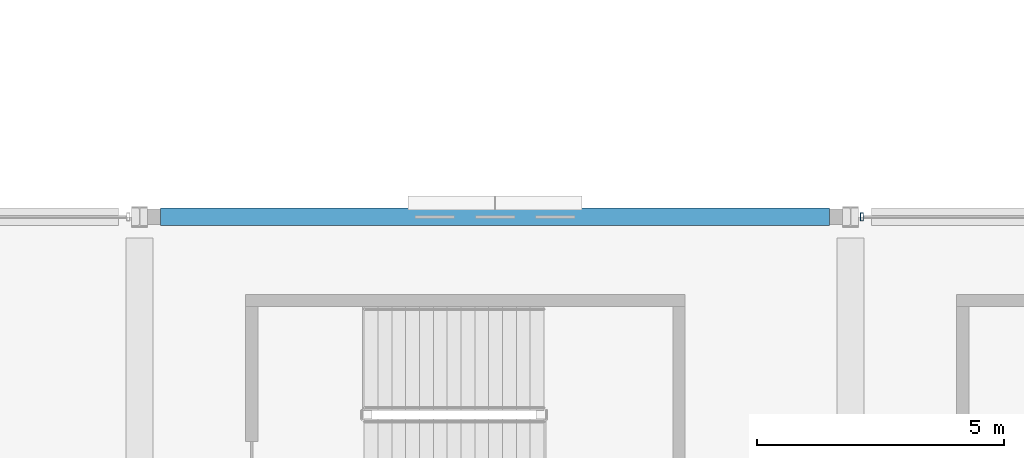
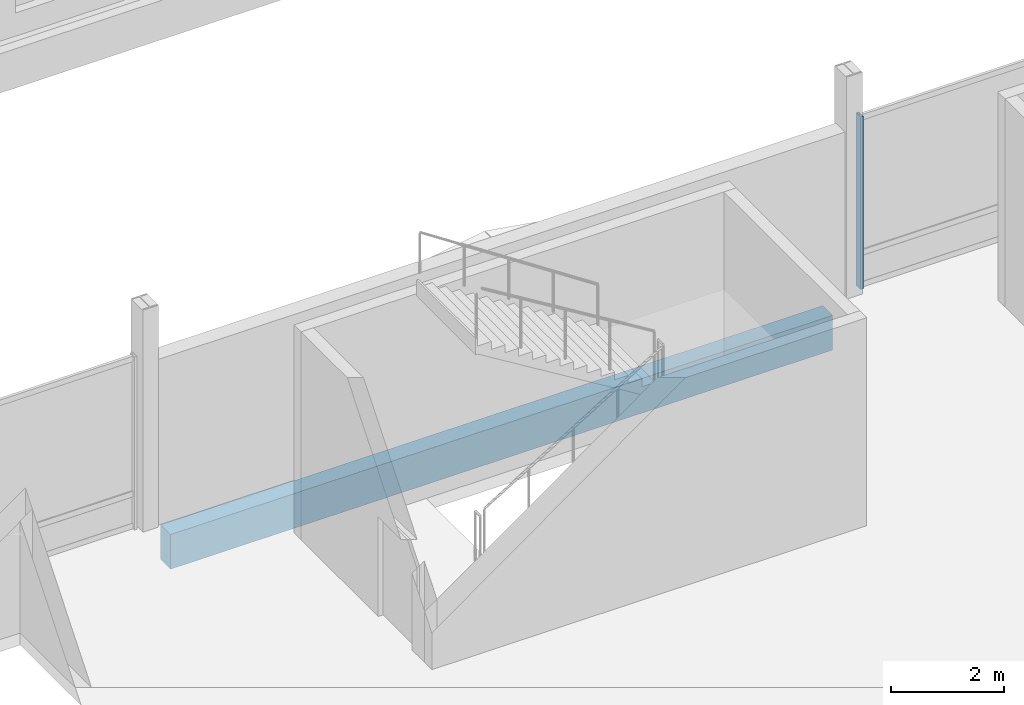
# One storey, part 40 of 220: 1 beam, 1 member, 1 element without a shape of its own.
"""IFC4 building model written with IfcOpenShell, lengths in metres."""

from ifc_helpers import new_model, si_unit, direction, frame, origin, origin_2d, place, context, subcontext, project, spatial, rectangle, hollow_rectangle, extrude, material, material_profile, profile_set, type_object, element, aggregate, save


model = new_model("IFC4")

# Units and contexts
model_context = context("Model", 3, precision=1e-05, world=origin(), true_north=direction((0.0, 1.0)))
body_context = subcontext(model_context, "Body", "Model", "MODEL_VIEW")
ifc_project = project(units=[si_unit("LENGTHUNIT", "METRE"), si_unit("AREAUNIT", "SQUARE_METRE"), si_unit("VOLUMEUNIT", "CUBIC_METRE"), si_unit("PLANEANGLEUNIT", "RADIAN"), si_unit("MASSUNIT", "GRAM", prefix="KILO")], contexts=[model_context])

# Site, building, storey
site_placement = place(None, origin())
site = spatial("IfcSite", under=ifc_project, at=site_placement, CompositionType="ELEMENT")
building_placement = place(site_placement, origin())
building = spatial("IfcBuilding", under=site, at=building_placement, Name="Cendralis Lancet Convention Centre", CompositionType="ELEMENT")
storey_placement = place(building_placement, frame((0.0, 0.0, 5.39990234375)))
storey = spatial("IfcBuildingStorey", under=building, at=storey_placement, Name="L01", CompositionType="ELEMENT", Elevation=5.39990234375)

# Curtain wall, member
ifc_material_1 = material(Name="Anodised bronze architectural aluminium", Category="aluminium")
curtain_wall_type = type_object("IfcCurtainWallType", Name="ARC-CW-CL02", PredefinedType="USERDEFINED", material=ifc_material_1)
curtain_wall_placement = place(storey_placement, origin())
curtain_wall = element("IfcCurtainWall", 1, at=curtain_wall_placement, inside=storey, type_object=curtain_wall_type, Name="L01 Curtain Wall CW-CL2 #168", ObjectType="CURTAIN WALL", PredefinedType="USERDEFINED")
ifc_material_profile_1 = material_profile(ifc_material_1, hollow_rectangle(XDim=0.06005859375, YDim=0.159912109375, WallThickness=0.00390625, at=origin_2d()), Name="AL-MULL 60x160x4.0")
ifc_profile_set_1 = profile_set([ifc_material_profile_1], Name="Anodised bronze architectural aluminium")
member_type = type_object("IfcMemberType", Name="ARC-CW-ML01", PredefinedType="MULLION", material=ifc_profile_set_1)
member_placement = place(storey_placement, frame((93.830078125, 36.0, 0.0), z_axis=(0.0, 0.0, 1.0), x_axis=(1.0, 0.0, 0.0)))
member = element("IfcMember", 2, at=member_placement, type_object=member_type, Name="Mullion CW2-CW-CL2-L01-168-M0", PredefinedType="MULLION", context=body_context, shape_type="SweptSolid", body=[
    extrude(hollow_rectangle(XDim=0.06005859375, YDim=0.159912109375, WallThickness=0.00390625, at=origin_2d()), origin(), (0.0, 0.0, 1.0), 3.735107421875),
])
aggregate(curtain_wall, [member])

# Beam
ifc_material_2 = material(Name="Concrete G40 (C40/50)", Category="concrete")
ifc_material_profile_2 = material_profile(ifc_material_2, rectangle(XDim=0.35009765625, YDim=0.75, at=origin_2d()), Name="RCB 350x750")
ifc_profile_set_2 = profile_set([ifc_material_profile_2], Name="Concrete G40 (C40/50)")
beam_type = type_object("IfcBeamType", Name="STR-SP-SP01", PredefinedType="SPANDREL", material=ifc_profile_set_2)
beam_placement = place(storey_placement, frame((79.625, 36.0, -0.65478515625), z_axis=(1.0, 0.0, 0.0), x_axis=(0.0, 1.0, 0.0)))
element("IfcBeam", 3, at=beam_placement, inside=storey, type_object=beam_type, Name="L01 Beam SP01 #0768", PredefinedType="SPANDREL", context=body_context, shape_type="SweptSolid", body=[
    extrude(rectangle(XDim=0.35009765625, YDim=0.75, at=origin_2d()), origin(), (0.0, 0.0, 1.0), 13.550048828125),
])

save(model, "model.ifc")
